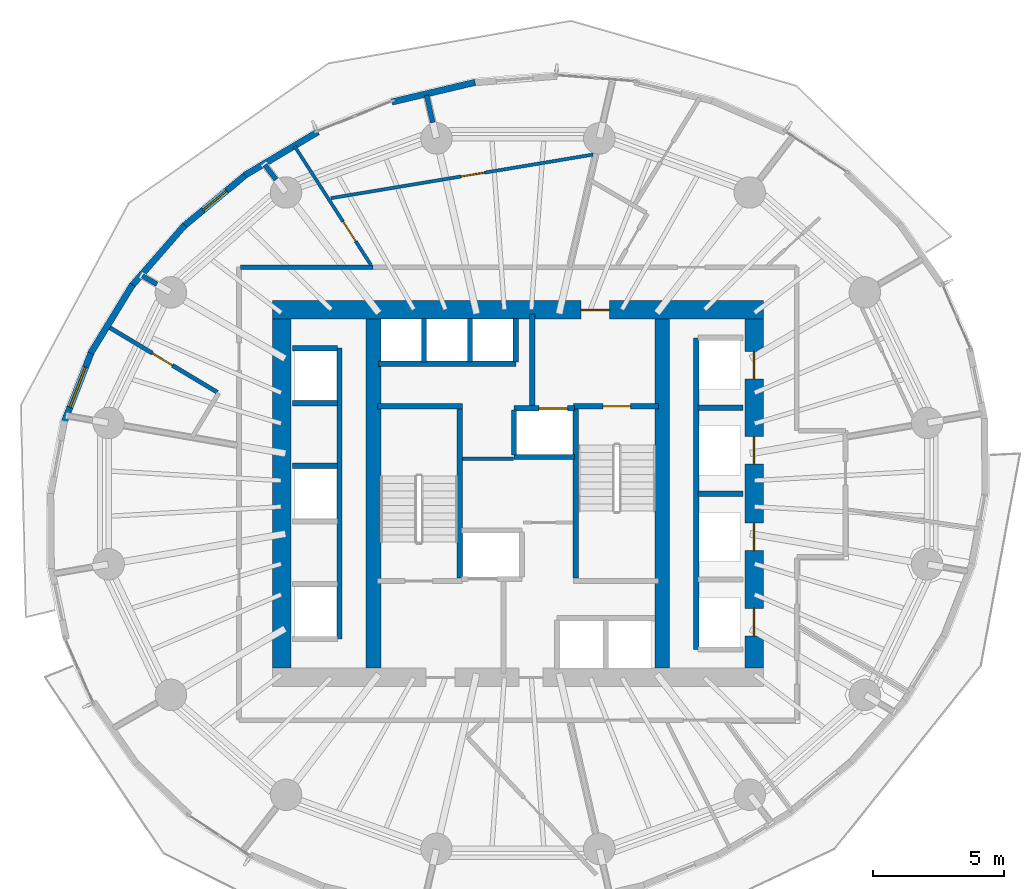
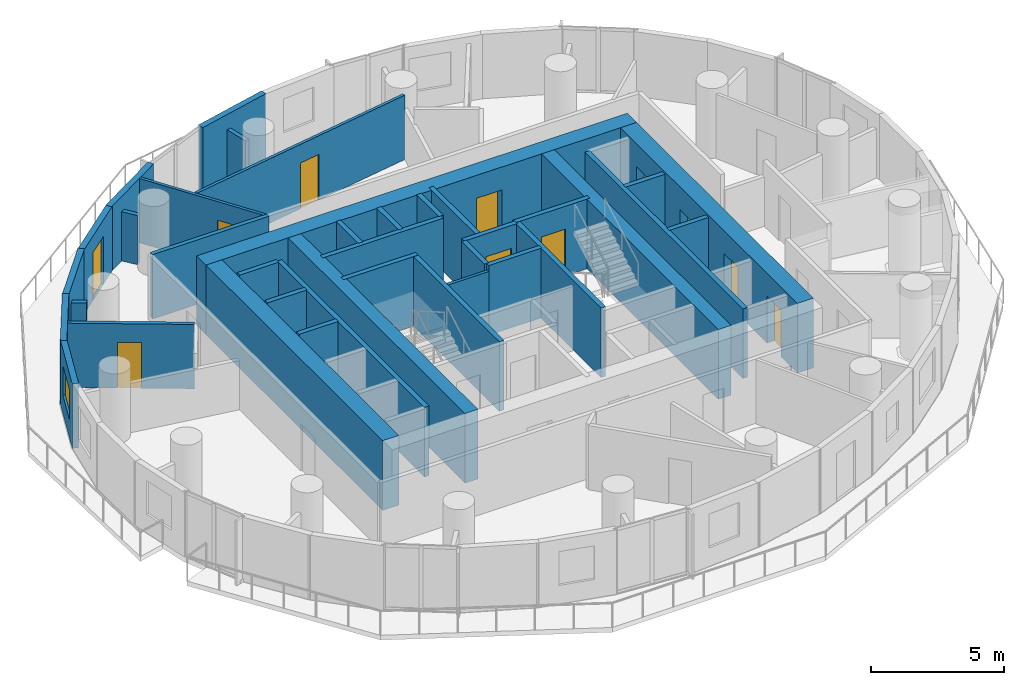
# One storey, part 8 of 14: 38 walls, 11 doors, 1 window, 12 openings.
"""IFC4 building model written with IfcOpenShell, lengths in metres."""

from ifc_helpers import new_model, si_unit, direction, frame, frame_2d, origin, place, context, subcontext, project, spatial, rectangle, extrude, material, layer, layer_set, type_object, element, fill, save


model = new_model("IFC4")

# Units and contexts
model_context = context("Model", 3, precision=1e-05, world=origin(), true_north=direction((0.0, 1.0)))
body_context = subcontext(model_context, "Body", "Model", "MODEL_VIEW")
ifc_project = project(units=[si_unit("LENGTHUNIT", "METRE"), si_unit("AREAUNIT", "SQUARE_METRE"), si_unit("VOLUMEUNIT", "CUBIC_METRE"), si_unit("PLANEANGLEUNIT", "RADIAN"), si_unit("MASSUNIT", "GRAM", prefix="KILO")], contexts=[model_context])

# Site, building, storey
site_placement = place(None, origin())
site = spatial("IfcSite", under=ifc_project, at=site_placement, CompositionType="ELEMENT")
building_placement = place(site_placement, origin())
building = spatial("IfcBuilding", under=site, at=building_placement, Name="Veldorim Arch Residences", CompositionType="ELEMENT")
storey_placement = place(building_placement, frame((0.0, 0.0, 74.080078125)))
storey = spatial("IfcBuildingStorey", under=building, at=storey_placement, Name="L21", CompositionType="ELEMENT", Elevation=74.080078125)

# Wall
ifc_material_1 = material(Name="Acoustic Gypsum Board", Category="gypsum")
ifc_layer_1 = layer(ifc_material_1, 0.125, Name="Acoustic Stud Room Partition Wall 125")
ifc_layer_set_1 = layer_set([ifc_layer_1], Name="Acoustic Gypsum Board")
wall_type_1 = type_object("IfcWallType", Name="Acoustic Stud Room Partition Wall 125", PredefinedType="PARTITIONING", material=ifc_layer_set_1)
wall_1_placement = place(storey_placement, frame((29.889892578125, 25.330078125, 0.0), z_axis=(0.0, 0.0, 1.0), x_axis=(1.0, 0.0, 0.0)))
element("IfcWall", 1, at=wall_1_placement, inside=storey, type_object=wall_type_1, Name="L21 interior wall WL-CA-L21-N", PredefinedType="PARTITIONING", context=body_context, shape_type="SweptSolid", body=[
    extrude(rectangle(XDim=1.940185546875, YDim=0.125, at=frame_2d((0.97021484375, 0.0))), origin(), (0.0, 0.0, 1.0), 2.954833984375),
])

# Wall, opening, door
wall_2_placement = place(storey_placement, frame((23.490966796875, 37.242919921875, 0.0), z_axis=(0.0, 0.0, 1.0), x_axis=(0.540565030624, -0.841302233247, 0.0)))
wall_2 = element("IfcWall", 2, at=wall_2_placement, inside=storey, type_object=wall_type_1, Name="L21 interior wall WL-RES-L21-025", PredefinedType="PARTITIONING", context=body_context, shape_type="SweptSolid", body=[
    extrude(rectangle(XDim=5.383056640625, YDim=0.125, at=frame_2d((2.69140625, 0.0))), origin(), (0.0, 0.0, 1.0), 2.954833984375),
])
opening_1_placement = place(wall_2_placement, frame((3.42041015625, 0.0, 0.0)))
opening_1 = element("IfcOpeningElement", 3, at=opening_1_placement, cuts=wall_2, Name="Opening DR-INT", PredefinedType="OPENING", context=body_context, shape_type="SweptSolid", body=[
    extrude(rectangle(XDim=0.89990234375, YDim=2.10009765625, at=frame_2d((0.449951171875, 1.050048828125))), frame((0.0, 0.072509765625, 0.0), z_axis=(0.0, -1.0, 0.0), x_axis=(1.0, 0.0, 0.0)), (0.0, 0.0, 1.0), 0.14501953125),
])
ifc_material_2 = material(Name="Engineered Timber", Category="wood")
door_type_1 = type_object("IfcDoorType", Name="Apartment Internal Room Timber Door 900x2100", OperationType="SINGLE_SWING_LEFT", PredefinedType="DOOR", material=ifc_material_2)
door_1_placement = place(opening_1_placement, origin())
door_1 = element("IfcDoor", 4, at=door_1_placement, inside=storey, type_object=door_type_1, Name="L21 interior door DR-RES-L21-013", OperationType="SINGLE_SWING_LEFT", OverallHeight=2.10009765625, OverallWidth=0.89990234375, PredefinedType="DOOR", context=body_context, shape_type="SweptSolid", body=[
    extrude(rectangle(XDim=0.89990234375, YDim=2.10009765625, at=frame_2d((0.449951171875, 1.050048828125))), frame((0.0, 0.02490234375, 0.0), z_axis=(0.0, -1.0, 0.0), x_axis=(1.0, 0.0, 0.0)), (0.0, 0.0, 1.0), 0.050048828125),
])
fill(opening_1, door_1)

wall_3_placement = place(storey_placement, frame((24.875, 35.2587890625, 0.0), z_axis=(0.0, 0.0, 1.0), x_axis=(0.986466792703, 0.163961174958, 0.0)))
wall_3 = element("IfcWall", 5, at=wall_3_placement, inside=storey, type_object=wall_type_1, Name="L21 interior wall WL-RES-L21-027", PredefinedType="PARTITIONING", context=body_context, shape_type="SweptSolid", body=[
    extrude(rectangle(XDim=10.128173828125, YDim=0.125, at=frame_2d((5.06396484375, 0.0))), origin(), (0.0, 0.0, 1.0), 2.954833984375),
])
opening_2_placement = place(wall_3_placement, frame((5.0341796875, 0.0, 0.0)))
opening_2 = element("IfcOpeningElement", 6, at=opening_2_placement, cuts=wall_3, Name="Opening DR-INT", PredefinedType="OPENING", context=body_context, shape_type="SweptSolid", body=[
    extrude(rectangle(XDim=0.89990234375, YDim=2.10009765625, at=frame_2d((0.449951171875, 1.050048828125))), frame((0.0, 0.072509765625, 0.0), z_axis=(0.0, -1.0, 0.0), x_axis=(1.0, 0.0, 0.0)), (0.0, 0.0, 1.0), 0.14501953125),
])
door_2_placement = place(opening_2_placement, origin())
door_2 = element("IfcDoor", 7, at=door_2_placement, inside=storey, type_object=door_type_1, Name="L21 interior door DR-RES-L21-014", OperationType="SINGLE_SWING_RIGHT", OverallHeight=2.10009765625, OverallWidth=0.89990234375, PredefinedType="DOOR", context=body_context, shape_type="SweptSolid", body=[
    extrude(rectangle(XDim=0.89990234375, YDim=2.10009765625, at=frame_2d((0.449951171875, 1.050048828125))), frame((0.0, 0.02490234375, 0.0), z_axis=(0.0, -1.0, 0.0), x_axis=(1.0, 0.0, 0.0)), (0.0, 0.0, 1.0), 0.050048828125),
])
fill(opening_2, door_2)

# Walls
ifc_material_3 = material(Name="Lightweight Masonry Block & Gypsum", Category="masonry")
ifc_layer_2 = layer(ifc_material_3, 0.179931640625, Name="Compartment & Corridor Fire-Rated Party Wall 180")
ifc_layer_set_2 = layer_set([ifc_layer_2], Name="Lightweight Masonry Block & Gypsum")
wall_type_2 = type_object("IfcWallType", Name="Compartment & Corridor Fire-Rated Party Wall 180", PredefinedType="PARTITIONING", material=ifc_layer_set_2)
wall_4_placement = place(storey_placement, frame((28.759521484375, 38.13916015625, 0.0), z_axis=(0.0, 0.0, 1.0), x_axis=(-0.223308362472, 0.974747852139, 0.0)))
element("IfcWall", 8, at=wall_4_placement, inside=storey, type_object=wall_type_2, Name="L21 interior wall WL-PIER-L21-05", PredefinedType="PARTITIONING", context=body_context, shape_type="SweptSolid", body=[
    extrude(rectangle(XDim=1.0693359375, YDim=0.179931640625, at=frame_2d((0.53466796875, 0.0))), origin(), (0.0, 0.0, 1.0), 2.260498046875),
])
wall_5_placement = place(storey_placement, frame((22.7880859375, 35.965576171875, 0.0), z_axis=(0.0, 0.0, 1.0), x_axis=(-0.609945476355, 0.792443383387, 0.0)))
element("IfcWall", 9, at=wall_5_placement, inside=storey, type_object=wall_type_2, Name="L21 interior wall WL-PIER-L21-06", PredefinedType="PARTITIONING", context=body_context, shape_type="SweptSolid", body=[
    extrude(rectangle(XDim=0.70361328125, YDim=0.179931640625, at=frame_2d((0.351806640625, 0.0))), origin(), (0.0, 0.0, 1.0), 2.260498046875),
])
wall_6_placement = place(storey_placement, frame((18.243408203125, 31.977783203125, 0.0), z_axis=(0.0, 0.0, 1.0), x_axis=(-0.864928236137, 0.501895553212, 0.0)))
element("IfcWall", 10, at=wall_6_placement, inside=storey, type_object=wall_type_2, Name="L21 interior wall WL-PIER-L21-07", PredefinedType="PARTITIONING", context=body_context, shape_type="SweptSolid", body=[
    extrude(rectangle(XDim=0.63818359375, YDim=0.179931640625, at=frame_2d((0.319091796875, 0.0))), origin(), (0.0, 0.0, 1.0), 2.260498046875),
])
wall_7_placement = place(storey_placement, frame((21.429931640625, 32.6298828125, 0.0), z_axis=(0.0, 0.0, 1.0), x_axis=(1.0, 0.0, 0.0)))
element("IfcWall", 11, at=wall_7_placement, inside=storey, type_object=wall_type_2, Name="L21 interior wall WL-RES-L21-009", PredefinedType="PARTITIONING", context=body_context, shape_type="SweptSolid", body=[
    extrude(rectangle(XDim=5.044921875, YDim=0.179931640625, at=frame_2d((2.5224609375, 0.0))), origin(), (0.0, 0.0, 1.0), 2.954833984375),
])
ifc_material_4 = material(Name="Concrete C50/60", Category="concrete")
ifc_layer_3 = layer(ifc_material_4, 0.199951171875, Name="Core Stair & Lift Shaft Enclosure Wall 200")
ifc_layer_set_3 = layer_set([ifc_layer_3], Name="Concrete C50/60")
wall_type_3 = type_object("IfcWallType", Name="Core Stair & Lift Shaft Enclosure Wall 200", PredefinedType="SHEAR", material=ifc_layer_set_3)
wall_8_placement = place(storey_placement, frame((29.7900390625, 20.780029296875, 0.0), z_axis=(0.0, 0.0, 1.0), x_axis=(0.0, 1.0, 0.0)))
element("IfcWall", 12, at=wall_8_placement, inside=storey, type_object=wall_type_3, Name="L21 shaft wall WL-SHF-L21-ST1-E", PredefinedType="SHEAR", context=body_context, shape_type="SweptSolid", body=[
    extrude(rectangle(XDim=6.43994140625, YDim=0.199951171875, at=frame_2d((3.219970703125, 0.0))), origin(), (0.0, 0.0, 1.0), 3.199951171875),
])
wall_9_placement = place(storey_placement, frame((26.64990234375, 27.330078125, 0.0), z_axis=(0.0, 0.0, 1.0), x_axis=(1.0, 0.0, 0.0)))
element("IfcWall", 13, at=wall_9_placement, inside=storey, type_object=wall_type_3, Name="L21 shaft wall WL-SHF-L21-ST1-N", PredefinedType="SHEAR", context=body_context, shape_type="SweptSolid", body=[
    extrude(rectangle(XDim=3.239990234375, YDim=0.199951171875, at=frame_2d((1.6201171875, 0.0))), origin(), (0.0, 0.0, 1.0), 3.199951171875),
])
wall_10_placement = place(storey_placement, frame((34.2099609375, 20.780029296875, 0.0), z_axis=(0.0, 0.0, 1.0), x_axis=(0.0, 1.0, 0.0)))
element("IfcWall", 14, at=wall_10_placement, inside=storey, type_object=wall_type_3, Name="L21 shaft wall WL-SHF-L21-ST2-W", PredefinedType="SHEAR", context=body_context, shape_type="SweptSolid", body=[
    extrude(rectangle(XDim=6.43994140625, YDim=0.199951171875, at=frame_2d((3.219970703125, 0.0))), origin(), (0.0, 0.0, 1.0), 3.199951171875),
])

# Wall, opening, door
wall_11_placement = place(storey_placement, frame((34.110107421875, 27.330078125, 0.0), z_axis=(0.0, 0.0, 1.0), x_axis=(1.0, 0.0, 0.0)))
wall_11 = element("IfcWall", 15, at=wall_11_placement, inside=storey, type_object=wall_type_3, Name="L21 shaft wall WL-SHF-L21-ST2-N", PredefinedType="SHEAR", context=body_context, shape_type="SweptSolid", body=[
    extrude(rectangle(XDim=3.239990234375, YDim=0.199951171875, at=frame_2d((1.6201171875, 0.0))), origin(), (0.0, 0.0, 1.0), 3.199951171875),
])
opening_3_placement = place(wall_11_placement, frame((1.135009765625, 0.0, 0.0)))
opening_3 = element("IfcOpeningElement", 16, at=opening_3_placement, cuts=wall_11, Name="Opening DR-ST", PredefinedType="OPENING", context=body_context, shape_type="SweptSolid", body=[
    extrude(rectangle(XDim=1.050048828125, YDim=2.14990234375, at=frame_2d((0.52490234375, 1.074951171875))), frame((0.0, 0.10986328125, 0.0), z_axis=(0.0, -1.0, 0.0), x_axis=(1.0, 0.0, 0.0)), (0.0, 0.0, 1.0), 0.219970703125),
])
ifc_material_5 = material(Name="Fire-Rated Steel", Category="steel")
door_type_2 = type_object("IfcDoorType", Name="Exit Staircase Self-Closing Fire Door 1050x2150", OperationType="SINGLE_SWING_LEFT", PredefinedType="DOOR", material=ifc_material_5)
door_3_placement = place(opening_3_placement, origin())
door_3 = element("IfcDoor", 17, at=door_3_placement, inside=storey, type_object=door_type_2, Name="L21 interior door DR-L21-ST2", OperationType="SINGLE_SWING_RIGHT", OverallHeight=2.14990234375, OverallWidth=1.050048828125, PredefinedType="DOOR", context=body_context, shape_type="SweptSolid", body=[
    extrude(rectangle(XDim=1.050048828125, YDim=2.14990234375, at=frame_2d((0.52490234375, 1.074951171875))), frame((0.0, 0.02490234375, 0.0), z_axis=(0.0, -1.0, 0.0), x_axis=(1.0, 0.0, 0.0)), (0.0, 0.0, 1.0), 0.050048828125),
])
fill(opening_3, door_3)

# Wall
wall_12_placement = place(storey_placement, frame((32.550048828125, 27.35009765625, 0.0), z_axis=(0.0, 0.0, 1.0), x_axis=(0.0, 1.0, 0.0)))
element("IfcWall", 18, at=wall_12_placement, inside=storey, type_object=wall_type_3, Name="L21 shaft wall WL-FFL2-L21-W", PredefinedType="SHEAR", context=body_context, shape_type="SweptSolid", body=[
    extrude(rectangle(XDim=3.5, YDim=0.199951171875, at=frame_2d((1.75, 0.0))), origin(), (0.0, 0.0, 1.0), 3.199951171875),
])

# Wall, opening, door
wall_13_placement = place(storey_placement, frame((31.85009765625, 27.25, 0.0), z_axis=(0.0, 0.0, 1.0), x_axis=(1.0, 0.0, 0.0)))
wall_13 = element("IfcWall", 19, at=wall_13_placement, inside=storey, type_object=wall_type_3, Name="L21 shaft wall WL-FL02-L21-N", PredefinedType="SHEAR", context=body_context, shape_type="SweptSolid", body=[
    extrude(rectangle(XDim=2.2998046875, YDim=0.199951171875, at=frame_2d((1.14990234375, 0.0))), origin(), (0.0, 0.0, 1.0), 3.199951171875),
])
opening_4_placement = place(wall_13_placement, frame((0.949951171875, 0.0, 0.0)))
opening_4 = element("IfcOpeningElement", 20, at=opening_4_placement, cuts=wall_13, Name="Opening LD-FF", PredefinedType="OPENING", context=body_context, shape_type="SweptSolid", body=[
    extrude(rectangle(XDim=1.10009765625, YDim=2.14990234375, at=frame_2d((0.550048828125, 1.074951171875))), frame((0.0, 0.10986328125, 0.0), z_axis=(0.0, -1.0, 0.0), x_axis=(1.0, 0.0, 0.0)), (0.0, 0.0, 1.0), 0.219970703125),
])
ifc_material_6 = material(Name="Stainless Steel", Category="steel")
door_type_3 = type_object("IfcDoorType", Name="Firefighting Lift Bi-Parting Sliding Landing Door 1100x2150", OperationType="DOUBLE_DOOR_SLIDING", PredefinedType="DOOR", material=ifc_material_6)
door_4_placement = place(opening_4_placement, origin())
door_4 = element("IfcDoor", 21, at=door_4_placement, inside=storey, type_object=door_type_3, Name="L21 lift landing door LD-L21-FL02", OperationType="DOUBLE_DOOR_SLIDING", OverallHeight=2.14990234375, OverallWidth=1.10009765625, PredefinedType="DOOR", context=body_context, shape_type="SweptSolid", body=[
    extrude(rectangle(XDim=1.10009765625, YDim=2.14990234375, at=frame_2d((0.550048828125, 1.074951171875))), frame((0.0, 0.02490234375, 0.0), z_axis=(0.0, -1.0, 0.0), x_axis=(1.0, 0.0, 0.0)), (0.0, 0.0, 1.0), 0.050048828125),
])
fill(opening_4, door_4)

# Walls
wall_14_placement = place(storey_placement, frame((31.85009765625, 25.39990234375, 0.0), z_axis=(0.0, 0.0, 1.0), x_axis=(1.0, 0.0, 0.0)))
element("IfcWall", 22, at=wall_14_placement, inside=storey, type_object=wall_type_3, Name="L21 shaft wall WL-FL02-L21-S", PredefinedType="SHEAR", context=body_context, shape_type="SweptSolid", body=[
    extrude(rectangle(XDim=2.2998046875, YDim=0.199951171875, at=frame_2d((1.14990234375, 0.0))), origin(), (0.0, 0.0, 1.0), 3.199951171875),
])
wall_15_placement = place(storey_placement, frame((31.85009765625, 25.469970703125, 0.0), z_axis=(0.0, 0.0, 1.0), x_axis=(0.0, 1.0, 0.0)))
element("IfcWall", 23, at=wall_15_placement, inside=storey, type_object=wall_type_3, Name="L21 shaft wall WL-FL02-L21-W", PredefinedType="SHEAR", context=body_context, shape_type="SweptSolid", body=[
    extrude(rectangle(XDim=1.7099609375, YDim=0.199951171875, at=frame_2d((0.85498046875, 0.0))), origin(), (0.0, 0.0, 1.0), 3.199951171875),
])
wall_16_placement = place(storey_placement, frame((38.800048828125, 18.06005859375, 0.0), z_axis=(0.0, 0.0, 1.0), x_axis=(0.0, 1.0, 0.0)))
element("IfcWall", 24, at=wall_16_placement, inside=storey, type_object=wall_type_3, Name="L21 shaft wall WL-B1-L21-W", PredefinedType="SHEAR", context=body_context, shape_type="SweptSolid", body=[
    extrude(rectangle(XDim=11.8798828125, YDim=0.199951171875, at=frame_2d((5.93994140625, 0.0))), origin(), (0.0, 0.0, 1.0), 3.199951171875),
])
for number, where, z_axis, x_axis, name in (
    (25, (38.8701171875, 24.0, 0.0), (0.0, 0.0, 1.0), (1.0, 0.0, 0.0), "L21 shaft wall WL-B1-L21-D2"),
    (26, (38.8701171875, 27.27490234375, 0.0), (0.0, 0.0, 1.0), (1.0, 0.0, 0.0), "L21 shaft wall WL-B1-L21-D3"),
):
    element("IfcWall", number, at=place(storey_placement, frame(where, z_axis=z_axis, x_axis=x_axis)), inside=storey, type_object=wall_type_3, Name=name, PredefinedType="SHEAR", context=body_context, shape_type="SweptSolid", body=[
        extrude(rectangle(XDim=1.7099609375, YDim=0.199951171875, at=frame_2d((0.85498046875, 0.0))), origin(), (0.0, 0.0, 1.0), 3.199951171875),
    ])
wall_17_placement = place(storey_placement, frame((25.199951171875, 18.4599609375, 0.0), z_axis=(0.0, 0.0, 1.0), x_axis=(0.0, 1.0, 0.0)))
element("IfcWall", 27, at=wall_17_placement, inside=storey, type_object=wall_type_3, Name="L21 shaft wall WL-B2-L21-E", PredefinedType="SHEAR", context=body_context, shape_type="SweptSolid", body=[
    extrude(rectangle(XDim=11.080078125, YDim=0.199951171875, at=frame_2d((5.5400390625, 0.0))), origin(), (0.0, 0.0, 1.0), 3.199951171875),
])
for number, where, z_axis, x_axis, name in (
    (28, (23.419921875, 29.5400390625, 0.0), (0.0, 0.0, 1.0), (1.0, 0.0, 0.0), "L21 shaft wall WL-B2-L21-N"),
    (29, (23.419921875, 25.06005859375, 0.0), (0.0, 0.0, 1.0), (1.0, 0.0, 0.0), "L21 shaft wall WL-B2-L21-D2A"),
    (30, (23.419921875, 27.43994140625, 0.0), (0.0, 0.0, 1.0), (1.0, 0.0, 0.0), "L21 shaft wall WL-B2-L21-D2B"),
):
    element("IfcWall", number, at=place(storey_placement, frame(where, z_axis=z_axis, x_axis=x_axis)), inside=storey, type_object=wall_type_3, Name=name, PredefinedType="SHEAR", context=body_context, shape_type="SweptSolid", body=[
        extrude(rectangle(XDim=1.7099609375, YDim=0.199951171875, at=frame_2d((0.85498046875, 0.0))), origin(), (0.0, 0.0, 1.0), 3.199951171875),
    ])
wall_18_placement = place(storey_placement, frame((26.679931640625, 28.949951171875, 0.0), z_axis=(0.0, 0.0, 1.0), x_axis=(1.0, 0.0, 0.0)))
element("IfcWall", 31, at=wall_18_placement, inside=storey, type_object=wall_type_3, Name="L21 shaft wall WL-B3-L21-S", PredefinedType="SHEAR", context=body_context, shape_type="SweptSolid", body=[
    extrude(rectangle(XDim=5.239990234375, YDim=0.199951171875, at=frame_2d((2.6201171875, 0.0))), origin(), (0.0, 0.0, 1.0), 3.199951171875),
])
for number, where, z_axis, x_axis, name in (
    (32, (31.919921875, 29.02001953125, 0.0), (0.0, 0.0, 1.0), (0.0, 1.0, 0.0), "L21 shaft wall WL-B3-L21-E"),
    (33, (28.425048828125, 29.02001953125, 0.0), (0.0, 0.0, 1.0), (0.0, 1.0, 0.0), "L21 shaft wall WL-B3-L21-D1"),
    (34, (30.175048828125, 29.02001953125, 0.0), (0.0, 0.0, 1.0), (0.0, 1.0, 0.0), "L21 shaft wall WL-B3-L21-D2"),
):
    element("IfcWall", number, at=place(storey_placement, frame(where, z_axis=z_axis, x_axis=x_axis)), inside=storey, type_object=wall_type_3, Name=name, PredefinedType="SHEAR", context=body_context, shape_type="SweptSolid", body=[
        extrude(rectangle(XDim=1.659912109375, YDim=0.199951171875, at=frame_2d((0.830078125, 0.0))), origin(), (0.0, 0.0, 1.0), 3.199951171875),
    ])
ifc_material_7 = material(Name="Concrete C60/75", Category="concrete")
ifc_layer_4 = layer(ifc_material_7, 0.56005859375, Name="Internal Core Shear Web Wall 560")
ifc_layer_set_4 = layer_set([ifc_layer_4], Name="Concrete C60/75")
wall_type_4 = type_object("IfcWallType", Name="Internal Core Shear Web Wall 560", PredefinedType="SHEAR", material=ifc_layer_set_4)
for number, where, z_axis, x_axis, name in (
    (35, (26.5, 17.35009765625, 0.0), (0.0, 0.0, 1.0), (0.0, 1.0, 0.0), "L21 core west internal shear web"),
    (36, (37.5, 17.35009765625, 0.0), (0.0, 0.0, 1.0), (0.0, 1.0, 0.0), "L21 core east internal shear web"),
):
    element("IfcWall", number, at=place(storey_placement, frame(where, z_axis=z_axis, x_axis=x_axis)), inside=storey, type_object=wall_type_4, Name=name, PredefinedType="SHEAR", context=body_context, shape_type="SweptSolid", body=[
        extrude(rectangle(XDim=13.2998046875, YDim=0.56005859375, at=frame_2d((6.64990234375, 0.0))), origin(), (0.0, 0.0, 1.0), 3.199951171875),
    ])

# Wall, opening, door
ifc_material_8 = material(Name="Concrete C60/75", Category="concrete")
ifc_layer_5 = layer(ifc_material_8, 0.699951171875, Name="Mid-Lower Central Core Shear Wall 700")
ifc_layer_set_5 = layer_set([ifc_layer_5], Name="Concrete C60/75")
wall_type_5 = type_object("IfcWallType", Name="Mid-Lower Central Core Shear Wall 700", PredefinedType="SHEAR", material=ifc_layer_set_5)
wall_19_placement = place(storey_placement, frame((22.64990234375, 31.0, 0.0), z_axis=(0.0, 0.0, 1.0), x_axis=(1.0, 0.0, 0.0)))
wall_19 = element("IfcWall", 37, at=wall_19_placement, inside=storey, type_object=wall_type_5, Name="L21 central core north shear wall", PredefinedType="SHEAR", context=body_context, shape_type="SweptSolid", body=[
    extrude(rectangle(XDim=18.7001953125, YDim=0.699951171875, at=frame_2d((9.35009765625, 0.0))), origin(), (0.0, 0.0, 1.0), 3.199951171875),
])
opening_5_placement = place(wall_19_placement, frame((11.75, 0.0, 0.0)))
opening_5 = element("IfcOpeningElement", 38, at=opening_5_placement, cuts=wall_19, Name="Opening DR-FFL", PredefinedType="OPENING", context=body_context, shape_type="SweptSolid", body=[
    extrude(rectangle(XDim=1.10009765625, YDim=2.14990234375, at=frame_2d((0.550048828125, 1.074951171875))), frame((0.0, 0.35986328125, 0.0), z_axis=(0.0, -1.0, 0.0), x_axis=(1.0, 0.0, 0.0)), (0.0, 0.0, 1.0), 0.719970703125),
])
ifc_material_9 = material(Name="Fire-Rated Steel & Vision Glass", Category="steel")
door_type_4 = type_object("IfcDoorType", Name="Firefighting Lobby Smoke-Stop Fire Door 1100x2150", OperationType="SINGLE_SWING_LEFT", PredefinedType="DOOR", material=ifc_material_9)
door_5_placement = place(opening_5_placement, origin())
door_5 = element("IfcDoor", 39, at=door_5_placement, inside=storey, type_object=door_type_4, Name="L21 interior door DR-L21-FFL2", OperationType="SINGLE_SWING_LEFT", OverallHeight=2.14990234375, OverallWidth=1.10009765625, PredefinedType="DOOR", context=body_context, shape_type="SweptSolid", body=[
    extrude(rectangle(XDim=1.10009765625, YDim=2.14990234375, at=frame_2d((0.550048828125, 1.074951171875))), frame((0.0, 0.02490234375, 0.0), z_axis=(0.0, -1.0, 0.0), x_axis=(1.0, 0.0, 0.0)), (0.0, 0.0, 1.0), 0.050048828125),
])
fill(opening_5, door_5)

# Wall
wall_20_placement = place(storey_placement, frame((23.0, 17.35009765625, 0.0), z_axis=(0.0, 0.0, 1.0), x_axis=(0.0, 1.0, 0.0)))
element("IfcWall", 40, at=wall_20_placement, inside=storey, type_object=wall_type_5, Name="L21 central core west shear wall", PredefinedType="SHEAR", context=body_context, shape_type="SweptSolid", body=[
    extrude(rectangle(XDim=13.2998046875, YDim=0.699951171875, at=frame_2d((6.64990234375, 0.0))), origin(), (0.0, 0.0, 1.0), 3.199951171875),
])

# Wall, openings, doors
wall_21_placement = place(storey_placement, frame((41.0, 17.35009765625, 0.0), z_axis=(0.0, 0.0, 1.0), x_axis=(0.0, 1.0, 0.0)))
wall_21 = element("IfcWall", 41, at=wall_21_placement, inside=storey, type_object=wall_type_5, Name="L21 central core east shear wall", PredefinedType="SHEAR", context=body_context, shape_type="SweptSolid", body=[
    extrude(rectangle(XDim=13.2998046875, YDim=0.699951171875, at=frame_2d((6.64990234375, 0.0))), origin(), (0.0, 0.0, 1.0), 3.199951171875),
])
opening_6_placement = place(wall_21_placement, frame((1.22509765625, 0.0, 0.0)))
opening_6 = element("IfcOpeningElement", 42, at=opening_6_placement, cuts=wall_21, Name="Opening LD-PS", PredefinedType="OPENING", context=body_context, shape_type="SweptSolid", body=[
    extrude(rectangle(XDim=1.050048828125, YDim=2.14990234375, at=frame_2d((0.52490234375, 1.074951171875))), frame((0.0, 0.35986328125, 0.0), z_axis=(0.0, -1.0, 0.0), x_axis=(1.0, 0.0, 0.0)), (0.0, 0.0, 1.0), 0.719970703125),
])
opening_7_placement = place(wall_21_placement, frame((4.47509765625, 0.0, 0.0)))
opening_7 = element("IfcOpeningElement", 43, at=opening_7_placement, cuts=wall_21, Name="Opening LD-PS", PredefinedType="OPENING", context=body_context, shape_type="SweptSolid", body=[
    extrude(rectangle(XDim=1.050048828125, YDim=2.14990234375, at=frame_2d((0.52490234375, 1.074951171875))), frame((0.0, 0.35986328125, 0.0), z_axis=(0.0, -1.0, 0.0), x_axis=(1.0, 0.0, 0.0)), (0.0, 0.0, 1.0), 0.719970703125),
])
opening_8_placement = place(wall_21_placement, frame((7.77490234375, 0.0, 0.0)))
opening_8 = element("IfcOpeningElement", 44, at=opening_8_placement, cuts=wall_21, Name="Opening LD-PS", PredefinedType="OPENING", context=body_context, shape_type="SweptSolid", body=[
    extrude(rectangle(XDim=1.050048828125, YDim=2.14990234375, at=frame_2d((0.52490234375, 1.074951171875))), frame((0.0, 0.35986328125, 0.0), z_axis=(0.0, -1.0, 0.0), x_axis=(1.0, 0.0, 0.0)), (0.0, 0.0, 1.0), 0.719970703125),
])
opening_9_placement = place(wall_21_placement, frame((11.02490234375, 0.0, 0.0)))
opening_9 = element("IfcOpeningElement", 45, at=opening_9_placement, cuts=wall_21, Name="Opening LD-PS", PredefinedType="OPENING", context=body_context, shape_type="SweptSolid", body=[
    extrude(rectangle(XDim=1.050048828125, YDim=2.14990234375, at=frame_2d((0.52490234375, 1.074951171875))), frame((0.0, 0.35986328125, 0.0), z_axis=(0.0, -1.0, 0.0), x_axis=(1.0, 0.0, 0.0)), (0.0, 0.0, 1.0), 0.719970703125),
])
ifc_material_10 = material(Name="Stainless Steel", Category="steel")
door_type_5 = type_object("IfcDoorType", Name="Passenger Lift Bi-Parting Sliding Landing Door 1050x2150", OperationType="DOUBLE_DOOR_SLIDING", PredefinedType="DOOR", material=ifc_material_10)
door_6_placement = place(opening_6_placement, origin())
door_6 = element("IfcDoor", 46, at=door_6_placement, inside=storey, type_object=door_type_5, Name="L21 lift landing door LD-L21-PL-01", OperationType="DOUBLE_DOOR_SLIDING", OverallHeight=2.14990234375, OverallWidth=1.050048828125, PredefinedType="DOOR", context=body_context, shape_type="SweptSolid", body=[
    extrude(rectangle(XDim=1.050048828125, YDim=2.14990234375, at=frame_2d((0.52490234375, 1.074951171875))), frame((0.0, 0.02490234375, 0.0), z_axis=(0.0, -1.0, 0.0), x_axis=(1.0, 0.0, 0.0)), (0.0, 0.0, 1.0), 0.050048828125),
])
fill(opening_6, door_6)
door_7_placement = place(opening_7_placement, origin())
door_7 = element("IfcDoor", 47, at=door_7_placement, inside=storey, type_object=door_type_5, Name="L21 lift landing door LD-L21-PL-02", OperationType="DOUBLE_DOOR_SLIDING", OverallHeight=2.14990234375, OverallWidth=1.050048828125, PredefinedType="DOOR", context=body_context, shape_type="SweptSolid", body=[
    extrude(rectangle(XDim=1.050048828125, YDim=2.14990234375, at=frame_2d((0.52490234375, 1.074951171875))), frame((0.0, 0.02490234375, 0.0), z_axis=(0.0, -1.0, 0.0), x_axis=(1.0, 0.0, 0.0)), (0.0, 0.0, 1.0), 0.050048828125),
])
fill(opening_7, door_7)
door_8_placement = place(opening_8_placement, origin())
door_8 = element("IfcDoor", 48, at=door_8_placement, inside=storey, type_object=door_type_5, Name="L21 lift landing door LD-L21-PL-03", OperationType="DOUBLE_DOOR_SLIDING", OverallHeight=2.14990234375, OverallWidth=1.050048828125, PredefinedType="DOOR", context=body_context, shape_type="SweptSolid", body=[
    extrude(rectangle(XDim=1.050048828125, YDim=2.14990234375, at=frame_2d((0.52490234375, 1.074951171875))), frame((0.0, 0.02490234375, 0.0), z_axis=(0.0, -1.0, 0.0), x_axis=(1.0, 0.0, 0.0)), (0.0, 0.0, 1.0), 0.050048828125),
])
fill(opening_8, door_8)
door_9_placement = place(opening_9_placement, origin())
door_9 = element("IfcDoor", 49, at=door_9_placement, inside=storey, type_object=door_type_5, Name="L21 lift landing door LD-L21-PL-04", OperationType="DOUBLE_DOOR_SLIDING", OverallHeight=2.14990234375, OverallWidth=1.050048828125, PredefinedType="DOOR", context=body_context, shape_type="SweptSolid", body=[
    extrude(rectangle(XDim=1.050048828125, YDim=2.14990234375, at=frame_2d((0.52490234375, 1.074951171875))), frame((0.0, 0.02490234375, 0.0), z_axis=(0.0, -1.0, 0.0), x_axis=(1.0, 0.0, 0.0)), (0.0, 0.0, 1.0), 0.050048828125),
])
fill(opening_9, door_9)

# Walls
ifc_material_11 = material(Name="Precast concrete C40/50", Category="concrete")
ifc_layer_6 = layer(ifc_material_11, 0.25, Name="Tower Terracotta Spandrel & Pier Wall 250")
ifc_layer_set_6 = layer_set([ifc_layer_6], Name="Precast concrete C40/50")
wall_type_6 = type_object("IfcWallType", Name="Tower Terracotta Spandrel & Pier Wall 250", PredefinedType="SOLIDWALL", material=ifc_layer_set_6)
wall_22_placement = place(storey_placement, frame((27.197021484375, 38.925048828125, 0.0), z_axis=(0.0, 0.0, 1.0), x_axis=(0.973185832187, 0.230020294824, 0.0)))
element("IfcWall", 50, at=wall_22_placement, inside=storey, type_object=wall_type_6, Name="L21 terracotta facade wall 09", PredefinedType="SOLIDWALL", context=body_context, shape_type="SweptSolid", body=[
    extrude(rectangle(XDim=3.259521484375, YDim=0.25, at=frame_2d((1.6298828125, 0.0))), origin(), (0.0, 0.0, 1.0), 2.9599609375),
])
wall_23_placement = place(storey_placement, frame((21.593994140625, 36.13232421875, 0.0), z_axis=(0.0, 0.0, 1.0), x_axis=(0.859543053771, 0.511063341196, 0.0)))
element("IfcWall", 51, at=wall_23_placement, inside=storey, type_object=wall_type_6, Name="L21 terracotta facade wall 11", PredefinedType="SOLIDWALL", context=body_context, shape_type="SweptSolid", body=[
    extrude(rectangle(XDim=3.236083984375, YDim=0.25, at=frame_2d((1.6181640625, 0.0))), origin(), (0.0, 0.0, 1.0), 2.9599609375),
])

# Wall, opening, door
wall_24_placement = place(storey_placement, frame((19.2265625, 34.1572265625, 0.0), z_axis=(0.0, 0.0, 1.0), x_axis=(0.769611275013, 0.638512713557, 0.0)))
wall_24 = element("IfcWall", 52, at=wall_24_placement, inside=storey, type_object=wall_type_6, Name="L21 terracotta facade wall 12", PredefinedType="SOLIDWALL", context=body_context, shape_type="SweptSolid", body=[
    extrude(rectangle(XDim=3.19189453125, YDim=0.25, at=frame_2d((1.595947265625, 0.0))), origin(), (0.0, 0.0, 1.0), 2.9599609375),
])
opening_10_placement = place(wall_24_placement, frame((1.02099609375, 0.0, 0.0)))
opening_10 = element("IfcOpeningElement", 53, at=opening_10_placement, cuts=wall_24, Name="Opening BL-DR", PredefinedType="OPENING", context=body_context, shape_type="SweptSolid", body=[
    extrude(rectangle(XDim=1.14990234375, YDim=2.199951171875, at=frame_2d((0.574951171875, 1.10009765625))), frame((0.0, 0.135009765625, 0.0), z_axis=(0.0, -1.0, 0.0), x_axis=(1.0, 0.0, 0.0)), (0.0, 0.0, 1.0), 0.27001953125),
])
ifc_material_12 = material(Name="Aluminium & Low-E Glass", Category="aluminium")
door_type_6 = type_object("IfcDoorType", Name="Glazed Planted Balcony Door 1150x2200", OperationType="SINGLE_SWING_LEFT", PredefinedType="DOOR", material=ifc_material_12)
door_10_placement = place(opening_10_placement, origin())
door_10 = element("IfcDoor", 54, at=door_10_placement, inside=storey, type_object=door_type_6, Name="L21 glazed outdoor terrace door BALC-1", OperationType="SINGLE_SWING_RIGHT", OverallHeight=2.199951171875, OverallWidth=1.14990234375, PredefinedType="DOOR", context=body_context, shape_type="SweptSolid", body=[
    extrude(rectangle(XDim=1.14990234375, YDim=2.199951171875, at=frame_2d((0.574951171875, 1.10009765625))), frame((0.0, 0.02490234375, 0.0), z_axis=(0.0, -1.0, 0.0), x_axis=(1.0, 0.0, 0.0)), (0.0, 0.0, 1.0), 0.050048828125),
])
fill(opening_10, door_10)

# Walls
wall_25_placement = place(storey_placement, frame((17.248291015625, 31.873291015625, 0.0), z_axis=(0.0, 0.0, 1.0), x_axis=(0.656940925155, 0.753942054044, 0.0)))
element("IfcWall", 55, at=wall_25_placement, inside=storey, type_object=wall_type_6, Name="L21 terracotta facade wall 13", PredefinedType="SOLIDWALL", context=body_context, shape_type="SweptSolid", body=[
    extrude(rectangle(XDim=3.131103515625, YDim=0.25, at=frame_2d((1.5654296875, 0.0))), origin(), (0.0, 0.0, 1.0), 2.9599609375),
])
wall_26_placement = place(storey_placement, frame((15.71923828125, 29.35009765625, 0.0), z_axis=(0.0, 0.0, 1.0), x_axis=(0.520956264952, 0.853583370273, 0.0)))
element("IfcWall", 56, at=wall_26_placement, inside=storey, type_object=wall_type_6, Name="L21 terracotta facade wall 14", PredefinedType="SOLIDWALL", context=body_context, shape_type="SweptSolid", body=[
    extrude(rectangle(XDim=3.060791015625, YDim=0.25, at=frame_2d((1.5302734375, 0.0))), origin(), (0.0, 0.0, 1.0), 2.9599609375),
])

# Wall, opening, window
wall_27_placement = place(storey_placement, frame((14.685791015625, 26.6650390625, 0.0), z_axis=(0.0, 0.0, 1.0), x_axis=(0.362414720493, 0.93201693674, 0.0)))
wall_27 = element("IfcWall", 57, at=wall_27_placement, inside=storey, type_object=wall_type_6, Name="L21 terracotta facade wall 15", PredefinedType="SOLIDWALL", context=body_context, shape_type="SweptSolid", body=[
    extrude(rectangle(XDim=2.98828125, YDim=0.25, at=frame_2d((1.494140625, 0.0))), origin(), (0.0, 0.0, 1.0), 2.9599609375),
])
opening_11_placement = place(wall_27_placement, frame((0.6689453125, 0.0, 0.85009765625)))
opening_11 = element("IfcOpeningElement", 58, at=opening_11_placement, cuts=wall_27, Name="Opening WN-03", PredefinedType="OPENING", context=body_context, shape_type="SweptSolid", body=[
    extrude(rectangle(XDim=1.64990234375, YDim=1.3701171875, at=frame_2d((0.824951171875, 0.68505859375))), frame((0.0, 0.135009765625, 0.0), z_axis=(0.0, -1.0, 0.0), x_axis=(1.0, 0.0, 0.0)), (0.0, 0.0, 1.0), 0.27001953125),
])
ifc_material_13 = material(Name="Laminated Low-E Glass", Category="glass")
window_type = type_object("IfcWindowType", Name="Residential Wide Window 1650x1550", PartitioningType="SINGLE_PANEL", PredefinedType="WINDOW", material=ifc_material_13)
window_placement = place(opening_11_placement, origin())
window = element("IfcWindow", 59, at=window_placement, inside=storey, type_object=window_type, Name="L21 solar-control facade window 15", OverallHeight=1.3701171875, OverallWidth=1.64990234375, PartitioningType="SINGLE_PANEL", PredefinedType="WINDOW", context=body_context, shape_type="SweptSolid", body=[
    extrude(rectangle(XDim=1.64990234375, YDim=1.3701171875, at=frame_2d((0.824951171875, 0.68505859375))), frame((0.0, 0.030029296875, 0.0), z_axis=(0.0, -1.0, 0.0), x_axis=(1.0, 0.0, 0.0)), (0.0, 0.0, 1.0), 0.06005859375),
])
fill(opening_11, window)

# Wall, opening, door
ifc_material_14 = material(Name="Moisture-Resistant Gypsum & Stud", Category="gypsum")
ifc_layer_7 = layer(ifc_material_14, 0.159912109375, Name="Wet-Area Moisture-Resistant Plumbing Wall 160")
ifc_layer_set_7 = layer_set([ifc_layer_7], Name="Moisture-Resistant Gypsum & Stud")
wall_type_7 = type_object("IfcWallType", Name="Wet-Area Moisture-Resistant Plumbing Wall 160", PredefinedType="PLUMBINGWALL", material=ifc_layer_set_7)
wall_28_placement = place(storey_placement, frame((20.548583984375, 27.86181640625, 0.0), z_axis=(0.0, 0.0, 1.0), x_axis=(-0.857214854591, 0.514958923672, 0.0)))
wall_28 = element("IfcWall", 60, at=wall_28_placement, inside=storey, type_object=wall_type_7, Name="L21 interior wall WL-RES-L21-024", PredefinedType="PLUMBINGWALL", context=body_context, shape_type="SweptSolid", body=[
    extrude(rectangle(XDim=4.8828125, YDim=0.159912109375, at=frame_2d((2.44140625, 0.0))), origin(), (0.0, 0.0, 1.0), 2.954833984375),
])
opening_12_placement = place(wall_28_placement, frame((1.991455078125, 0.0, 0.0)))
opening_12 = element("IfcOpeningElement", 61, at=opening_12_placement, cuts=wall_28, Name="Opening DR-WC", PredefinedType="OPENING", context=body_context, shape_type="SweptSolid", body=[
    extrude(rectangle(XDim=0.89990234375, YDim=2.10009765625, at=frame_2d((0.449951171875, 1.050048828125))), frame((0.0, 0.08984375, 0.0), z_axis=(0.0, -1.0, 0.0), x_axis=(1.0, 0.0, 0.0)), (0.0, 0.0, 1.0), 0.179931640625),
])
ifc_material_15 = material(Name="Laminate Timber", Category="wood")
door_type_7 = type_object("IfcDoorType", Name="Bathroom & Accessible WC Moisture-Sealed Door 900x2100", OperationType="SINGLE_SWING_LEFT", PredefinedType="DOOR", material=ifc_material_15)
door_11_placement = place(opening_12_placement, origin())
door_11 = element("IfcDoor", 62, at=door_11_placement, inside=storey, type_object=door_type_7, Name="L21 interior door DR-RES-L21-012", OperationType="SINGLE_SWING_RIGHT", OverallHeight=2.10009765625, OverallWidth=0.89990234375, PredefinedType="DOOR", context=body_context, shape_type="SweptSolid", body=[
    extrude(rectangle(XDim=0.89990234375, YDim=2.10009765625, at=frame_2d((0.449951171875, 1.050048828125))), frame((0.0, 0.02490234375, 0.0), z_axis=(0.0, -1.0, 0.0), x_axis=(1.0, 0.0, 0.0)), (0.0, 0.0, 1.0), 0.050048828125),
])
fill(opening_12, door_11)

save(model, "model.ifc")
